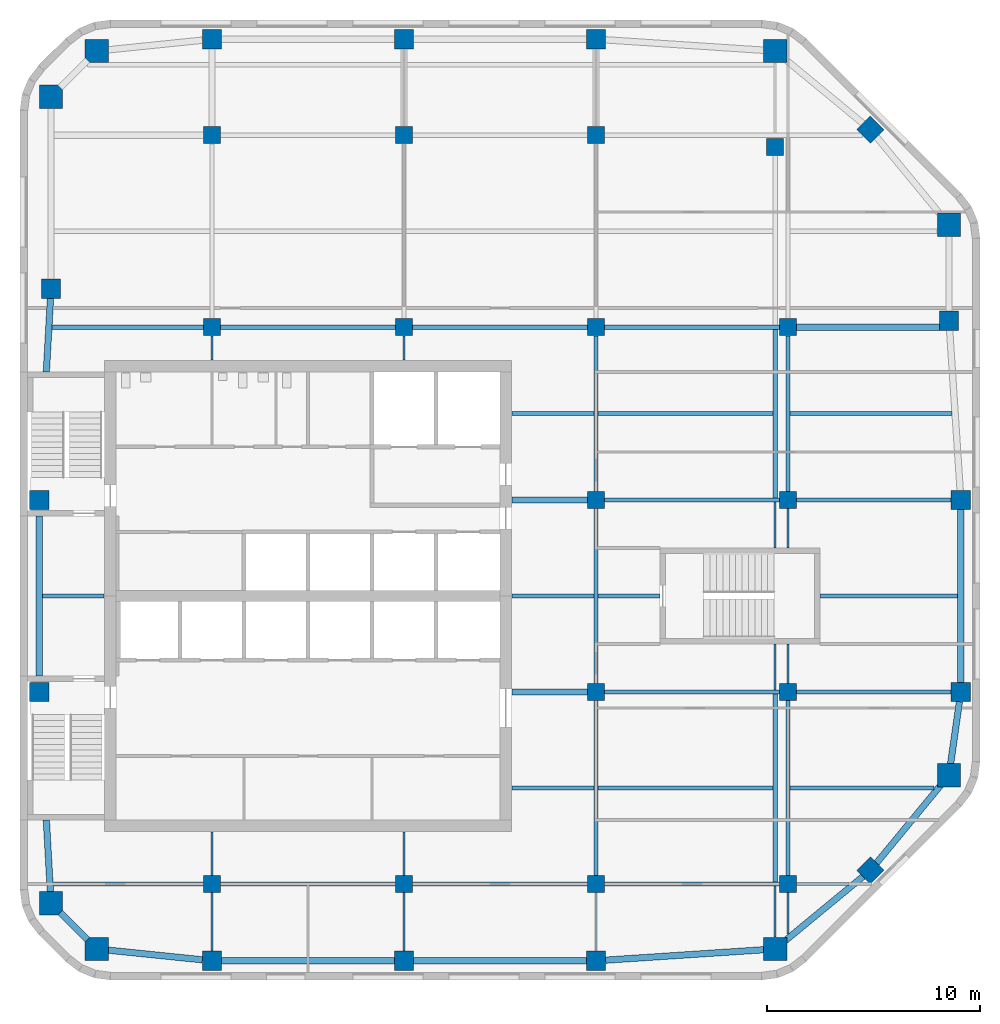
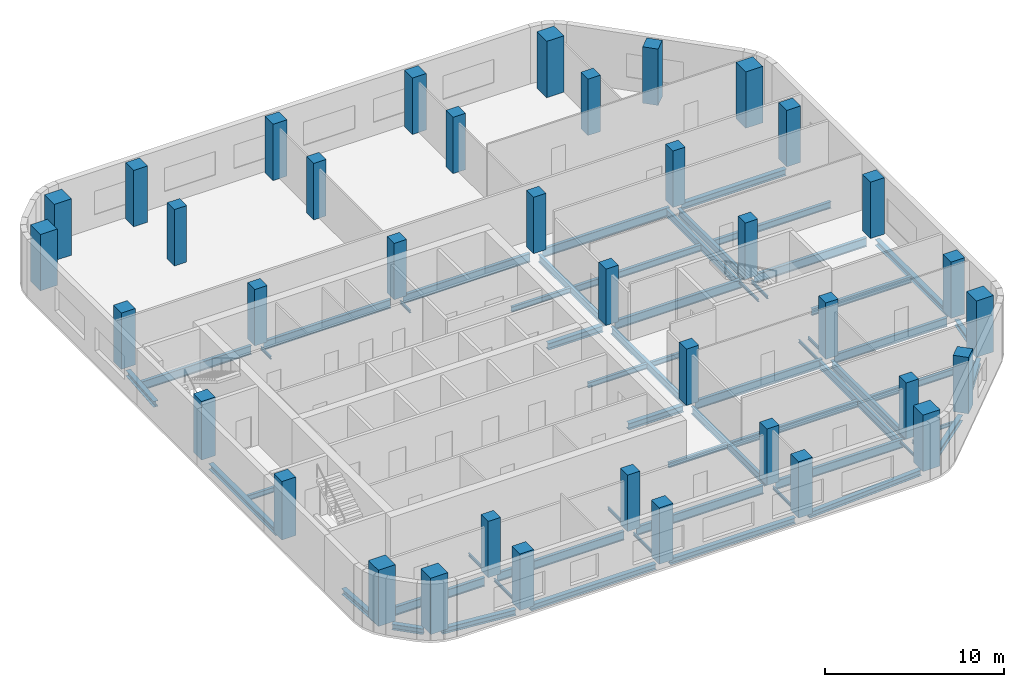
# One storey, part 1 of 8: 58 beams, 38 columns.
"""IFC4 building model written with IfcOpenShell, lengths in metres."""

from ifc_helpers import new_model, si_unit, direction, frame, origin, origin_2d, place, context, subcontext, project, spatial, rectangle, i_section, extrude, material, material_profile, profile_set, type_object, element, save


model = new_model("IFC4")

# Units and contexts
model_context = context("Model", 3, precision=1e-05, world=origin(), true_north=direction((0.0, 1.0)))
body_context = subcontext(model_context, "Body", "Model", "MODEL_VIEW")
ifc_project = project(units=[si_unit("LENGTHUNIT", "METRE"), si_unit("AREAUNIT", "SQUARE_METRE"), si_unit("VOLUMEUNIT", "CUBIC_METRE"), si_unit("PLANEANGLEUNIT", "RADIAN"), si_unit("MASSUNIT", "GRAM", prefix="KILO")], contexts=[model_context])

# Site, building, storey
site_placement = place(None, origin())
site = spatial("IfcSite", under=ifc_project, at=site_placement, CompositionType="ELEMENT")
building_placement = place(site_placement, origin())
building = spatial("IfcBuilding", under=site, at=building_placement, Name="Cinnabar Reach Civic Tower", CompositionType="ELEMENT")
storey_placement = place(building_placement, frame((0.0, 0.0, 222.0)))
storey = spatial("IfcBuildingStorey", under=building, at=storey_placement, Name="L53", CompositionType="ELEMENT", Elevation=222.0)

# Columns
ifc_material_1 = material(Name="Concrete C80", Category="concrete")
ifc_material_profile_1 = material_profile(ifc_material_1, rectangle(XDim=1.1, YDim=1.1, at=origin_2d()), Name="RC1100")
ifc_profile_set_1 = profile_set([ifc_material_profile_1], Name="Concrete C80")
column_type_1 = type_object("IfcColumnType", Name="RC1100 column R 240", PredefinedType="COLUMN", material=ifc_profile_set_1)
for number, where, z_axis, x_axis, name in (
    (1, (3.6019, 14.9531, 0.0), (0.0, 0.0, 1.0), (1.0, 0.0, 0.0), "Column T1-Z4-CC0"),
    (2, (35.3981, 14.9531, 0.0), (0.0, 0.0, 1.0), (1.0, 0.0, 0.0), "Column T1-Z4-CC1"),
    (3, (43.5469, 23.1019, 0.0), (0.0, 0.0, 1.0), (1.0, 0.0, 0.0), "Column T1-Z4-CC2"),
    (4, (43.5469, 48.8981, 0.0), (0.0, 0.0, 1.0), (1.0, 0.0, 0.0), "Column T1-Z4-CC3"),
    (5, (35.3981, 57.0469, 0.0), (0.0, 0.0, 1.0), (1.0, 0.0, 0.0), "Column T1-Z4-CC4"),
    (6, (3.6019, 57.0469, 0.0), (0.0, 0.0, 1.0), (1.0, 0.0, 0.0), "Column T1-Z4-CC5"),
    (7, (1.4531, 54.8981, 0.0), (0.0, 0.0, 1.0), (1.0, 0.0, 0.0), "Column T1-Z4-CC6"),
    (8, (1.4531, 17.1019, 0.0), (0.0, 0.0, 1.0), (1.0, 0.0, 0.0), "Column T1-Z4-CC7"),
):
    element("IfcColumn", number, at=place(storey_placement, frame(where, z_axis=z_axis, x_axis=x_axis)), inside=storey, type_object=column_type_1, Name=name, PredefinedType="COLUMN", context=body_context, shape_type="SweptSolid", body=[
        extrude(rectangle(XDim=1.1, YDim=1.1, at=origin_2d()), origin(), (0.0, 0.0, 1.0), 3.85),
    ])
ifc_material_2 = material(Name="Concrete C60", Category="concrete")
ifc_material_profile_2 = material_profile(ifc_material_2, rectangle(XDim=0.8, YDim=0.8, at=origin_2d()), Name="RC800")
ifc_profile_set_2 = profile_set([ifc_material_profile_2], Name="Concrete C60")
column_type_2 = type_object("IfcColumnType", Name="RC800 column R 240", PredefinedType="COLUMN", material=ifc_profile_set_2)
for number, where, z_axis, x_axis, name in (
    (9, (9.0, 18.0, 0.0), (0.0, 0.0, 1.0), (1.0, 0.0, 0.0), "Column T1-Z4-I9_18"),
    (10, (9.0, 44.1, 0.0), (0.0, 0.0, 1.0), (1.0, 0.0, 0.0), "Column T1-Z4-I9_45"),
    (11, (9.0, 53.1, 0.0), (0.0, 0.0, 1.0), (1.0, 0.0, 0.0), "Column T1-Z4-I9_54"),
    (12, (18.0, 18.0, 0.0), (0.0, 0.0, 1.0), (1.0, 0.0, 0.0), "Column T1-Z4-I18_18"),
    (13, (18.0, 44.1, 0.0), (0.0, 0.0, 1.0), (1.0, 0.0, 0.0), "Column T1-Z4-I18_45"),
    (14, (18.0, 53.1, 0.0), (0.0, 0.0, 1.0), (1.0, 0.0, 0.0), "Column T1-Z4-I18_54"),
    (15, (27.0, 18.0, 0.0), (0.0, 0.0, 1.0), (1.0, 0.0, 0.0), "Column T1-Z4-I27_18"),
    (16, (27.0, 27.0, 0.0), (0.0, 0.0, 1.0), (1.0, 0.0, 0.0), "Column T1-Z4-I27_27"),
    (17, (27.0, 36.0, 0.0), (0.0, 0.0, 1.0), (1.0, 0.0, 0.0), "Column T1-Z4-I27_36"),
    (18, (27.0, 44.1, 0.0), (0.0, 0.0, 1.0), (1.0, 0.0, 0.0), "Column T1-Z4-I27_45"),
    (19, (27.0, 53.1, 0.0), (0.0, 0.0, 1.0), (1.0, 0.0, 0.0), "Column T1-Z4-I27_54"),
    (20, (36.0, 18.0, 0.0), (0.0, 0.0, 1.0), (1.0, 0.0, 0.0), "Column T1-Z4-I36_18"),
    (21, (36.0, 27.0, 0.0), (0.0, 0.0, 1.0), (1.0, 0.0, 0.0), "Column T1-Z4-I36_27"),
    (22, (36.0, 36.0, 0.0), (0.0, 0.0, 1.0), (1.0, 0.0, 0.0), "Column T1-Z4-I36_36"),
    (23, (36.0, 44.1, 0.0), (0.0, 0.0, 1.0), (1.0, 0.0, 0.0), "Column T1-Z4-I36_45"),
    (24, (35.3981, 52.5469, 0.0), (0.0, 0.0, 1.0), (1.0, 0.0, 0.0), "Column T1-Z4-I36_54"),
):
    element("IfcColumn", number, at=place(storey_placement, frame(where, z_axis=z_axis, x_axis=x_axis)), inside=storey, type_object=column_type_2, Name=name, PredefinedType="COLUMN", context=body_context, shape_type="SweptSolid", body=[
        extrude(rectangle(XDim=0.8, YDim=0.8, at=origin_2d()), origin(), (0.0, 0.0, 1.0), 3.85),
    ])
ifc_material_3 = material(Name="Concrete C70", Category="concrete")
ifc_material_profile_3 = material_profile(ifc_material_3, rectangle(XDim=0.9, YDim=0.9, at=origin_2d()), Name="RC900")
ifc_profile_set_3 = profile_set([ifc_material_profile_3], Name="Concrete C70")
column_type_3 = type_object("IfcColumnType", Name="RC900 column R 240", PredefinedType="COLUMN", material=ifc_profile_set_3)
for number, where, z_axis, x_axis, name in (
    (25, (9.0, 14.4, 0.0), (0.0, 0.0, 1.0), (1.0, 0.0, 0.0), "Column T1-Z4-F0-1"),
    (26, (18.0, 14.4, 0.0), (0.0, 0.0, 1.0), (1.0, 0.0, 0.0), "Column T1-Z4-F0-2"),
    (27, (27.0, 14.4, 0.0), (0.0, 0.0, 1.0), (1.0, 0.0, 0.0), "Column T1-Z4-F0-3"),
    (28, (39.8636, 18.6364, 0.0), (0.0, 0.0, 1.0), (0.707106781187, 0.707106781187, 0.0), "Column T1-Z4-F1-M"),
    (29, (44.1, 27.0, 0.0), (0.0, 0.0, 1.0), (1.0, 0.0, 0.0), "Column T1-Z4-F2-3"),
    (30, (44.1, 36.0, 0.0), (0.0, 0.0, 1.0), (1.0, 0.0, 0.0), "Column T1-Z4-F2-4"),
    (31, (43.5469, 44.3981, 0.0), (0.0, 0.0, 1.0), (1.0, 0.0, 0.0), "Column T1-Z4-F2-5"),
    (32, (39.8636, 53.3636, 0.0), (0.0, 0.0, 1.0), (0.707106781187, 0.707106781187, 0.0), "Column T1-Z4-F3-M"),
    (33, (9.0, 57.6, 0.0), (0.0, 0.0, 1.0), (1.0, 0.0, 0.0), "Column T1-Z4-F4-1"),
    (34, (18.0, 57.6, 0.0), (0.0, 0.0, 1.0), (1.0, 0.0, 0.0), "Column T1-Z4-F4-2"),
    (35, (27.0, 57.6, 0.0), (0.0, 0.0, 1.0), (1.0, 0.0, 0.0), "Column T1-Z4-F4-3"),
):
    element("IfcColumn", number, at=place(storey_placement, frame(where, z_axis=z_axis, x_axis=x_axis)), inside=storey, type_object=column_type_3, Name=name, PredefinedType="COLUMN", context=body_context, shape_type="SweptSolid", body=[
        extrude(rectangle(XDim=0.9, YDim=0.9, at=origin_2d()), origin(), (0.0, 0.0, 1.0), 3.85),
    ])
for number, where, z_axis, x_axis, name in (
    (36, (0.9, 27.0, 0.0), (0.0, 0.0, 1.0), (1.0, 0.0, 0.0), "Column T1-Z4-F6-3"),
    (37, (0.9, 36.0, 0.0), (0.0, 0.0, 1.0), (1.0, 0.0, 0.0), "Column T1-Z4-F6-4"),
):
    element("IfcColumn", number, at=place(storey_placement, frame(where, z_axis=z_axis, x_axis=x_axis)), inside=storey, type_object=column_type_3, Name=name, PredefinedType="COLUMN", context=body_context, shape_type="SweptSolid", body=[
        extrude(rectangle(XDim=0.9, YDim=0.9, at=origin_2d()), origin(), (0.0, 0.0, 1.0), 4.0),
    ])
column_placement = place(storey_placement, frame((1.4531, 45.8981, 0.0), z_axis=(0.0, 0.0, 1.0), x_axis=(1.0, 0.0, 0.0)))
element("IfcColumn", 38, at=column_placement, inside=storey, type_object=column_type_3, Name="Column T1-Z4-F6-5", PredefinedType="COLUMN", context=body_context, shape_type="SweptSolid", body=[
    extrude(rectangle(XDim=0.9, YDim=0.9, at=origin_2d()), origin(), (0.0, 0.0, 1.0), 3.85),
])

# Beams
ifc_material_4 = material(Name="Steel Q355B", Category="steel")
ifc_material_profile_4 = material_profile(ifc_material_4, i_section(OverallWidth=0.3, OverallDepth=0.39, WebThickness=0.01, FlangeThickness=0.016, FilletRadius=0.013, at=origin_2d()), Name="HM390x300x10x16")
ifc_profile_set_4 = profile_set([ifc_material_profile_4], Name="Steel Q355B")
beam_type_1 = type_object("IfcBeamType", Name="HM390x300x10x16 beam R 180", PredefinedType="BEAM", material=ifc_profile_set_4)
beam_1_placement = place(storey_placement, frame((4.0339, 14.9088, -0.345), z_axis=(0.994792272495, -0.101923179821, 0.0), x_axis=(0.101923179821, 0.994792272495, 0.0)))
element("IfcBeam", 39, at=beam_1_placement, inside=storey, type_object=beam_type_1, Name="Edge beam T1 L53 1", PredefinedType="BEAM", context=body_context, shape_type="SweptSolid", body=[
    extrude(i_section(OverallWidth=0.3, OverallDepth=0.39, WebThickness=0.01, FlangeThickness=0.016, FilletRadius=0.013, at=origin_2d()), origin(), (0.0, 0.0, 1.0), 4.5377),
])
for number, where, z_axis, x_axis, name in (
    (40, (9.452, 14.4, -0.345), (1.0, 0.0, 0.0), (0.0, 1.0, 0.0), "Edge beam T1 L53 2"),
    (41, (18.452, 14.4, -0.345), (1.0, 0.0, 0.0), (0.0, 1.0, 0.0), "Edge beam T1 L53 3"),
):
    element("IfcBeam", number, at=place(storey_placement, frame(where, z_axis=z_axis, x_axis=x_axis)), inside=storey, type_object=beam_type_1, Name=name, PredefinedType="BEAM", context=body_context, shape_type="SweptSolid", body=[
        extrude(i_section(OverallWidth=0.3, OverallDepth=0.39, WebThickness=0.01, FlangeThickness=0.016, FilletRadius=0.013, at=origin_2d()), origin(), (0.0, 0.0, 1.0), 8.096),
    ])
beam_2_placement = place(storey_placement, frame((27.452, 14.4298, -0.345), z_axis=(0.99783894477, 0.065707231721, 0.0), x_axis=(-0.065707231721, 0.99783894477, 0.0)))
element("IfcBeam", 42, at=beam_2_placement, inside=storey, type_object=beam_type_1, Name="Edge beam T1 L53 4", PredefinedType="BEAM", context=body_context, shape_type="SweptSolid", body=[
    extrude(i_section(OverallWidth=0.3, OverallDepth=0.39, WebThickness=0.01, FlangeThickness=0.016, FilletRadius=0.013, at=origin_2d()), origin(), (0.0, 0.0, 1.0), 7.5304),
])
for number, where, z_axis, x_axis, name in (
    (43, (35.8301, 15.3094, -0.345), (0.771434448755, 0.63630880182, 0.0), (-0.63630880182, 0.771434448755, 0.0), "Edge beam T1 L53 5"),
    (44, (40.1142, 18.9402, -0.345), (0.63630880182, 0.771434448755, 0.0), (-0.771434448755, 0.63630880182, 0.0), "Edge beam T1 L53 6"),
):
    element("IfcBeam", number, at=place(storey_placement, frame(where, z_axis=z_axis, x_axis=x_axis)), inside=storey, type_object=beam_type_1, Name=name, PredefinedType="BEAM", context=body_context, shape_type="SweptSolid", body=[
        extrude(i_section(OverallWidth=0.3, OverallDepth=0.39, WebThickness=0.01, FlangeThickness=0.016, FilletRadius=0.013, at=origin_2d()), origin(), (0.0, 0.0, 1.0), 4.8348),
    ])
beam_3_placement = place(storey_placement, frame((43.6082, 23.5339, -0.345), z_axis=(0.140492342965, 0.990081765092, 0.0), x_axis=(-0.990081765092, 0.140492342965, 0.0)))
element("IfcBeam", 45, at=beam_3_placement, inside=storey, type_object=beam_type_1, Name="Edge beam T1 L53 7", PredefinedType="BEAM", context=body_context, shape_type="SweptSolid", body=[
    extrude(i_section(OverallWidth=0.3, OverallDepth=0.39, WebThickness=0.01, FlangeThickness=0.016, FilletRadius=0.013, at=origin_2d()), origin(), (0.0, 0.0, 1.0), 3.0443),
])
beam_4_placement = place(storey_placement, frame((44.1, 27.452, -0.345), z_axis=(0.0, 1.0, 0.0), x_axis=(-1.0, 0.0, 0.0)))
element("IfcBeam", 46, at=beam_4_placement, inside=storey, type_object=beam_type_1, Name="Edge beam T1 L53 8", PredefinedType="BEAM", context=body_context, shape_type="SweptSolid", body=[
    extrude(i_section(OverallWidth=0.3, OverallDepth=0.39, WebThickness=0.01, FlangeThickness=0.016, FilletRadius=0.013, at=origin_2d()), origin(), (0.0, 0.0, 1.0), 8.096),
])
beam_5_placement = place(storey_placement, frame((1.4278, 45.4461, -0.345), z_axis=(-0.0557766862, -0.998443268932, 0.0), x_axis=(0.998443268932, -0.0557766862, 0.0)))
element("IfcBeam", 47, at=beam_5_placement, inside=storey, type_object=beam_type_1, Name="Edge beam T1 L53 19", PredefinedType="BEAM", context=body_context, shape_type="SweptSolid", body=[
    extrude(i_section(OverallWidth=0.3, OverallDepth=0.39, WebThickness=0.01, FlangeThickness=0.016, FilletRadius=0.013, at=origin_2d()), origin(), (0.0, 0.0, 1.0), 3.4495),
])
beam_6_placement = place(storey_placement, frame((0.9, 35.248, -0.345), z_axis=(0.0, -1.0, 0.0), x_axis=(1.0, 0.0, 0.0)))
element("IfcBeam", 48, at=beam_6_placement, inside=storey, type_object=beam_type_1, Name="Edge beam T1 L53 20", PredefinedType="BEAM", context=body_context, shape_type="SweptSolid", body=[
    extrude(i_section(OverallWidth=0.3, OverallDepth=0.39, WebThickness=0.01, FlangeThickness=0.016, FilletRadius=0.013, at=origin_2d()), origin(), (0.0, 0.0, 1.0), 7.496),
])
beam_7_placement = place(storey_placement, frame((1.2354, 20.998, -0.345), z_axis=(0.05580045603, -0.998441940779, 0.0), x_axis=(0.998441940779, 0.05580045603, 0.0)))
element("IfcBeam", 49, at=beam_7_placement, inside=storey, type_object=beam_type_1, Name="Edge beam T1 L53 21", PredefinedType="BEAM", context=body_context, shape_type="SweptSolid", body=[
    extrude(i_section(OverallWidth=0.3, OverallDepth=0.39, WebThickness=0.01, FlangeThickness=0.016, FilletRadius=0.013, at=origin_2d()), origin(), (0.0, 0.0, 1.0), 3.4695),
])
beam_8_placement = place(storey_placement, frame((1.8851, 16.6699, -0.345), z_axis=(0.707106781187, -0.707106781187, 0.0), x_axis=(0.707106781187, 0.707106781187, 0.0)))
element("IfcBeam", 50, at=beam_8_placement, inside=storey, type_object=beam_type_1, Name="Edge beam T1 L53 22", PredefinedType="BEAM", context=body_context, shape_type="SweptSolid", body=[
    extrude(i_section(OverallWidth=0.3, OverallDepth=0.39, WebThickness=0.01, FlangeThickness=0.016, FilletRadius=0.013, at=origin_2d()), origin(), (0.0, 0.0, 1.0), 1.817),
])
ifc_material_profile_5 = material_profile(ifc_material_4, i_section(OverallWidth=0.3, OverallDepth=0.44, WebThickness=0.011, FlangeThickness=0.018, FilletRadius=0.016, at=origin_2d()), Name="HM440x300x11x18")
ifc_profile_set_5 = profile_set([ifc_material_profile_5], Name="Steel Q355B")
beam_type_2 = type_object("IfcBeamType", Name="HM440x300x11x18 beam R 180", PredefinedType="BEAM", material=ifc_profile_set_5)
for number, where, z_axis, x_axis, name in (
    (51, (23.052, 27.0, -0.37), (1.0, 0.0, 0.0), (0.0, 1.0, 0.0), "Girder T1 L53 6"),
    (52, (23.052, 36.0, -0.37), (1.0, 0.0, 0.0), (0.0, 1.0, 0.0), "Girder T1 L53 9"),
):
    element("IfcBeam", number, at=place(storey_placement, frame(where, z_axis=z_axis, x_axis=x_axis)), inside=storey, type_object=beam_type_2, Name=name, PredefinedType="BEAM", context=body_context, shape_type="SweptSolid", body=[
        extrude(i_section(OverallWidth=0.3, OverallDepth=0.44, WebThickness=0.011, FlangeThickness=0.018, FilletRadius=0.016, at=origin_2d()), origin(), (0.0, 0.0, 1.0), 3.546),
    ])
beam_9_placement = place(storey_placement, frame((36.402, 44.1, -0.37), z_axis=(1.0, 0.0, 0.0), x_axis=(0.0, 1.0, 0.0)))
element("IfcBeam", 53, at=beam_9_placement, inside=storey, type_object=beam_type_2, Name="Girder T1 L53 16", PredefinedType="BEAM", context=body_context, shape_type="SweptSolid", body=[
    extrude(i_section(OverallWidth=0.3, OverallDepth=0.44, WebThickness=0.011, FlangeThickness=0.018, FilletRadius=0.016, at=origin_2d()), origin(), (0.0, 0.0, 1.0), 6.6929),
])
ifc_material_profile_6 = material_profile(ifc_material_4, i_section(OverallWidth=0.099, OverallDepth=0.198, WebThickness=0.0045, FlangeThickness=0.007, FilletRadius=0.013, at=origin_2d()), Name="HN200x100x5.5x8")
ifc_profile_set_6 = profile_set([ifc_material_profile_6], Name="Steel Q355B")
beam_type_3 = type_object("IfcBeamType", Name="HN200x100x5.5x8 beam R 180", PredefinedType="BEAM", material=ifc_profile_set_6)
beam_10_placement = place(storey_placement, frame((9.0, 14.852, -0.249), z_axis=(0.0, 1.0, 0.0), x_axis=(-1.0, 0.0, 0.0)))
element("IfcBeam", 54, at=beam_10_placement, inside=storey, type_object=beam_type_3, Name="Girder T1 L53 1", PredefinedType="BEAM", context=body_context, shape_type="SweptSolid", body=[
    extrude(i_section(OverallWidth=0.099, OverallDepth=0.198, WebThickness=0.0045, FlangeThickness=0.007, FilletRadius=0.013, at=origin_2d()), origin(), (0.0, 0.0, 1.0), 2.746),
])
beam_11_placement = place(storey_placement, frame((9.0, 18.402, -0.249), z_axis=(0.0, 1.0, 0.0), x_axis=(-1.0, 0.0, 0.0)))
element("IfcBeam", 55, at=beam_11_placement, inside=storey, type_object=beam_type_3, Name="Girder T1 L53 2", PredefinedType="BEAM", context=body_context, shape_type="SweptSolid", body=[
    extrude(i_section(OverallWidth=0.099, OverallDepth=0.198, WebThickness=0.0045, FlangeThickness=0.007, FilletRadius=0.013, at=origin_2d()), origin(), (0.0, 0.0, 1.0), 2.046),
])
beam_12_placement = place(storey_placement, frame((9.0, 42.552, -0.249), z_axis=(0.0, 1.0, 0.0), x_axis=(-1.0, 0.0, 0.0)))
element("IfcBeam", 56, at=beam_12_placement, inside=storey, type_object=beam_type_3, Name="Girder T1 L53 3", PredefinedType="BEAM", context=body_context, shape_type="SweptSolid", body=[
    extrude(i_section(OverallWidth=0.099, OverallDepth=0.198, WebThickness=0.0045, FlangeThickness=0.007, FilletRadius=0.013, at=origin_2d()), origin(), (0.0, 0.0, 1.0), 1.146),
])
beam_13_placement = place(storey_placement, frame((18.0, 14.852, -0.249), z_axis=(0.0, 1.0, 0.0), x_axis=(-1.0, 0.0, 0.0)))
element("IfcBeam", 57, at=beam_13_placement, inside=storey, type_object=beam_type_3, Name="Girder T1 L53 6", PredefinedType="BEAM", context=body_context, shape_type="SweptSolid", body=[
    extrude(i_section(OverallWidth=0.099, OverallDepth=0.198, WebThickness=0.0045, FlangeThickness=0.007, FilletRadius=0.013, at=origin_2d()), origin(), (0.0, 0.0, 1.0), 2.746),
])
beam_14_placement = place(storey_placement, frame((18.0, 18.402, -0.249), z_axis=(0.0, 1.0, 0.0), x_axis=(-1.0, 0.0, 0.0)))
element("IfcBeam", 58, at=beam_14_placement, inside=storey, type_object=beam_type_3, Name="Girder T1 L53 7", PredefinedType="BEAM", context=body_context, shape_type="SweptSolid", body=[
    extrude(i_section(OverallWidth=0.099, OverallDepth=0.198, WebThickness=0.0045, FlangeThickness=0.007, FilletRadius=0.013, at=origin_2d()), origin(), (0.0, 0.0, 1.0), 2.046),
])
beam_15_placement = place(storey_placement, frame((18.0, 42.552, -0.249), z_axis=(0.0, 1.0, 0.0), x_axis=(-1.0, 0.0, 0.0)))
element("IfcBeam", 59, at=beam_15_placement, inside=storey, type_object=beam_type_3, Name="Girder T1 L53 8", PredefinedType="BEAM", context=body_context, shape_type="SweptSolid", body=[
    extrude(i_section(OverallWidth=0.099, OverallDepth=0.198, WebThickness=0.0045, FlangeThickness=0.007, FilletRadius=0.013, at=origin_2d()), origin(), (0.0, 0.0, 1.0), 1.146),
])
beam_16_placement = place(storey_placement, frame((27.0, 14.852, -0.249), z_axis=(0.0, 1.0, 0.0), x_axis=(-1.0, 0.0, 0.0)))
element("IfcBeam", 60, at=beam_16_placement, inside=storey, type_object=beam_type_3, Name="Girder T1 L53 11", PredefinedType="BEAM", context=body_context, shape_type="SweptSolid", body=[
    extrude(i_section(OverallWidth=0.099, OverallDepth=0.198, WebThickness=0.0045, FlangeThickness=0.007, FilletRadius=0.013, at=origin_2d()), origin(), (0.0, 0.0, 1.0), 2.746),
])
beam_17_placement = place(storey_placement, frame((35.3981, 15.5051, -0.249), z_axis=(0.0, 1.0, 0.0), x_axis=(-1.0, 0.0, 0.0)))
element("IfcBeam", 61, at=beam_17_placement, inside=storey, type_object=beam_type_3, Name="Girder T1 L53 17", PredefinedType="BEAM", context=body_context, shape_type="SweptSolid", body=[
    extrude(i_section(OverallWidth=0.099, OverallDepth=0.198, WebThickness=0.0045, FlangeThickness=0.007, FilletRadius=0.013, at=origin_2d()), origin(), (0.0, 0.0, 1.0), 2.3934),
])
for number, where, z_axis, x_axis, name in (
    (62, (35.3981, 27.1015, -0.249), (0.0, 1.0, 0.0), (-1.0, 0.0, 0.0), "Girder T1 L53 19"),
    (63, (35.3981, 33.752, -0.249), (0.0, 1.0, 0.0), (-1.0, 0.0, 0.0), "Girder T1 L53 20"),
):
    element("IfcBeam", number, at=place(storey_placement, frame(where, z_axis=z_axis, x_axis=x_axis)), inside=storey, type_object=beam_type_3, Name=name, PredefinedType="BEAM", context=body_context, shape_type="SweptSolid", body=[
        extrude(i_section(OverallWidth=0.099, OverallDepth=0.198, WebThickness=0.0045, FlangeThickness=0.007, FilletRadius=0.013, at=origin_2d()), origin(), (0.0, 0.0, 1.0), 2.1465),
    ])
beam_18_placement = place(storey_placement, frame((36.0, 15.6466, -0.249), z_axis=(0.0, 1.0, 0.0), x_axis=(-1.0, 0.0, 0.0)))
element("IfcBeam", 64, at=beam_18_placement, inside=storey, type_object=beam_type_3, Name="Girder T1 L53 24", PredefinedType="BEAM", context=body_context, shape_type="SweptSolid", body=[
    extrude(i_section(OverallWidth=0.099, OverallDepth=0.198, WebThickness=0.0045, FlangeThickness=0.007, FilletRadius=0.013, at=origin_2d()), origin(), (0.0, 0.0, 1.0), 1.9514),
])
for number, where, z_axis, x_axis, name in (
    (65, (36.0, 27.402, -0.249), (0.0, 1.0, 0.0), (-1.0, 0.0, 0.0), "Girder T1 L53 26"),
    (66, (36.0, 33.752, -0.249), (0.0, 1.0, 0.0), (-1.0, 0.0, 0.0), "Girder T1 L53 27"),
):
    element("IfcBeam", number, at=place(storey_placement, frame(where, z_axis=z_axis, x_axis=x_axis)), inside=storey, type_object=beam_type_3, Name=name, PredefinedType="BEAM", context=body_context, shape_type="SweptSolid", body=[
        extrude(i_section(OverallWidth=0.099, OverallDepth=0.198, WebThickness=0.0045, FlangeThickness=0.007, FilletRadius=0.013, at=origin_2d()), origin(), (0.0, 0.0, 1.0), 1.846),
    ])
ifc_material_profile_7 = material_profile(ifc_material_4, i_section(OverallWidth=0.124, OverallDepth=0.248, WebThickness=0.005, FlangeThickness=0.008, FilletRadius=0.013, at=origin_2d()), Name="HN250x125x6x9")
ifc_profile_set_7 = profile_set([ifc_material_profile_7], Name="Steel Q355B")
beam_type_4 = type_object("IfcBeamType", Name="HN250x125x6x9 beam R 180", PredefinedType="BEAM", material=ifc_profile_set_7)
beam_19_placement = place(storey_placement, frame((36.402, 18.0, -0.274), z_axis=(1.0, 0.0, 0.0), x_axis=(0.0, 1.0, 0.0)))
element("IfcBeam", 67, at=beam_19_placement, inside=storey, type_object=beam_type_4, Name="Girder T1 L53 5", PredefinedType="BEAM", context=body_context, shape_type="SweptSolid", body=[
    extrude(i_section(OverallWidth=0.124, OverallDepth=0.248, WebThickness=0.005, FlangeThickness=0.008, FilletRadius=0.013, at=origin_2d()), origin(), (0.0, 0.0, 1.0), 2.4512),
])
ifc_material_profile_8 = material_profile(ifc_material_4, i_section(OverallWidth=0.174, OverallDepth=0.346, WebThickness=0.006, FlangeThickness=0.009, FilletRadius=0.013, at=origin_2d()), Name="HN346x174x6x9")
ifc_profile_set_8 = profile_set([ifc_material_profile_8], Name="Steel Q355B")
beam_type_5 = type_object("IfcBeamType", Name="HN346x174x6x9 beam R 180", PredefinedType="BEAM", material=ifc_profile_set_8)
beam_20_placement = place(storey_placement, frame((23.052, 22.5, -0.323), z_axis=(1.0, 0.0, 0.0), x_axis=(0.0, 1.0, 0.0)))
element("IfcBeam", 68, at=beam_20_placement, inside=storey, type_object=beam_type_5, Name="Secondary beam T1 L53 1", PredefinedType="BEAM", context=body_context, shape_type="SweptSolid", body=[
    extrude(i_section(OverallWidth=0.174, OverallDepth=0.346, WebThickness=0.006, FlangeThickness=0.009, FilletRadius=0.013, at=origin_2d()), origin(), (0.0, 0.0, 1.0), 3.846),
])
beam_21_placement = place(storey_placement, frame((1.052, 31.5, -0.323), z_axis=(1.0, 0.0, 0.0), x_axis=(0.0, 1.0, 0.0)))
element("IfcBeam", 69, at=beam_21_placement, inside=storey, type_object=beam_type_5, Name="Secondary beam T1 L53 4", PredefinedType="BEAM", context=body_context, shape_type="SweptSolid", body=[
    extrude(i_section(OverallWidth=0.174, OverallDepth=0.346, WebThickness=0.006, FlangeThickness=0.009, FilletRadius=0.013, at=origin_2d()), origin(), (0.0, 0.0, 1.0), 2.896),
])
beam_22_placement = place(storey_placement, frame((23.052, 31.5, -0.323), z_axis=(1.0, 0.0, 0.0), x_axis=(0.0, 1.0, 0.0)))
element("IfcBeam", 70, at=beam_22_placement, inside=storey, type_object=beam_type_5, Name="Secondary beam T1 L53 5", PredefinedType="BEAM", context=body_context, shape_type="SweptSolid", body=[
    extrude(i_section(OverallWidth=0.174, OverallDepth=0.346, WebThickness=0.006, FlangeThickness=0.009, FilletRadius=0.013, at=origin_2d()), origin(), (0.0, 0.0, 1.0), 3.846),
])
beam_23_placement = place(storey_placement, frame((27.102, 31.5, -0.323), z_axis=(1.0, 0.0, 0.0), x_axis=(0.0, 1.0, 0.0)))
element("IfcBeam", 71, at=beam_23_placement, inside=storey, type_object=beam_type_5, Name="Secondary beam T1 L53 6", PredefinedType="BEAM", context=body_context, shape_type="SweptSolid", body=[
    extrude(i_section(OverallWidth=0.174, OverallDepth=0.346, WebThickness=0.006, FlangeThickness=0.009, FilletRadius=0.013, at=origin_2d()), origin(), (0.0, 0.0, 1.0), 2.896),
])
beam_24_placement = place(storey_placement, frame((23.052, 40.05, -0.323), z_axis=(1.0, 0.0, 0.0), x_axis=(0.0, 1.0, 0.0)))
element("IfcBeam", 72, at=beam_24_placement, inside=storey, type_object=beam_type_5, Name="Secondary beam T1 L53 8", PredefinedType="BEAM", context=body_context, shape_type="SweptSolid", body=[
    extrude(i_section(OverallWidth=0.174, OverallDepth=0.346, WebThickness=0.006, FlangeThickness=0.009, FilletRadius=0.013, at=origin_2d()), origin(), (0.0, 0.0, 1.0), 3.846),
])
ifc_material_profile_9 = material_profile(ifc_material_4, i_section(OverallWidth=0.199, OverallDepth=0.446, WebThickness=0.008, FlangeThickness=0.012, FilletRadius=0.016, at=origin_2d()), Name="HN446x199x8x12")
ifc_profile_set_9 = profile_set([ifc_material_profile_9], Name="Steel Q355B")
beam_type_6 = type_object("IfcBeamType", Name="HN446x199x8x12 beam R 180", PredefinedType="BEAM", material=ifc_profile_set_9)
beam_25_placement = place(storey_placement, frame((27.102, 22.5, -0.373), z_axis=(1.0, 0.0, 0.0), x_axis=(0.0, 1.0, 0.0)))
element("IfcBeam", 73, at=beam_25_placement, inside=storey, type_object=beam_type_6, Name="Secondary beam T1 L53 2", PredefinedType="BEAM", context=body_context, shape_type="SweptSolid", body=[
    extrude(i_section(OverallWidth=0.199, OverallDepth=0.446, WebThickness=0.008, FlangeThickness=0.012, FilletRadius=0.016, at=origin_2d()), origin(), (0.0, 0.0, 1.0), 8.1941),
])
beam_26_placement = place(storey_placement, frame((36.102, 22.5, -0.373), z_axis=(1.0, 0.0, 0.0), x_axis=(0.0, 1.0, 0.0)))
element("IfcBeam", 74, at=beam_26_placement, inside=storey, type_object=beam_type_6, Name="Secondary beam T1 L53 3", PredefinedType="BEAM", context=body_context, shape_type="SweptSolid", body=[
    extrude(i_section(OverallWidth=0.199, OverallDepth=0.446, WebThickness=0.008, FlangeThickness=0.012, FilletRadius=0.016, at=origin_2d()), origin(), (0.0, 0.0, 1.0), 6.7514),
])
beam_27_placement = place(storey_placement, frame((37.502, 31.5, -0.373), z_axis=(1.0, 0.0, 0.0), x_axis=(0.0, 1.0, 0.0)))
element("IfcBeam", 75, at=beam_27_placement, inside=storey, type_object=beam_type_6, Name="Secondary beam T1 L53 7", PredefinedType="BEAM", context=body_context, shape_type="SweptSolid", body=[
    extrude(i_section(OverallWidth=0.199, OverallDepth=0.446, WebThickness=0.008, FlangeThickness=0.012, FilletRadius=0.016, at=origin_2d()), origin(), (0.0, 0.0, 1.0), 6.446),
])
beam_28_placement = place(storey_placement, frame((27.102, 40.05, -0.373), z_axis=(1.0, 0.0, 0.0), x_axis=(0.0, 1.0, 0.0)))
element("IfcBeam", 76, at=beam_28_placement, inside=storey, type_object=beam_type_6, Name="Secondary beam T1 L53 9", PredefinedType="BEAM", context=body_context, shape_type="SweptSolid", body=[
    extrude(i_section(OverallWidth=0.199, OverallDepth=0.446, WebThickness=0.008, FlangeThickness=0.012, FilletRadius=0.016, at=origin_2d()), origin(), (0.0, 0.0, 1.0), 8.1941),
])
beam_29_placement = place(storey_placement, frame((36.102, 40.05, -0.373), z_axis=(1.0, 0.0, 0.0), x_axis=(0.0, 1.0, 0.0)))
element("IfcBeam", 77, at=beam_29_placement, inside=storey, type_object=beam_type_6, Name="Secondary beam T1 L53 10", PredefinedType="BEAM", context=body_context, shape_type="SweptSolid", body=[
    extrude(i_section(OverallWidth=0.199, OverallDepth=0.446, WebThickness=0.008, FlangeThickness=0.012, FilletRadius=0.016, at=origin_2d()), origin(), (0.0, 0.0, 1.0), 7.5789),
])
ifc_material_profile_10 = material_profile(ifc_material_4, i_section(OverallWidth=0.2, OverallDepth=0.5, WebThickness=0.01, FlangeThickness=0.016, FilletRadius=0.016, at=origin_2d()), Name="HN500x200x10x16")
ifc_profile_set_10 = profile_set([ifc_material_profile_10], Name="Steel Q355B")
beam_type_7 = type_object("IfcBeamType", Name="HN500x200x10x16 beam R 180", PredefinedType="BEAM", material=ifc_profile_set_10)
for number, where, z_axis, x_axis, name in (
    (78, (27.0, 18.402, -0.4), (0.0, 1.0, 0.0), (-1.0, 0.0, 0.0), "Girder T1 L53 12"),
    (79, (27.0, 27.402, -0.4), (0.0, 1.0, 0.0), (-1.0, 0.0, 0.0), "Girder T1 L53 13"),
):
    element("IfcBeam", number, at=place(storey_placement, frame(where, z_axis=z_axis, x_axis=x_axis)), inside=storey, type_object=beam_type_7, Name=name, PredefinedType="BEAM", context=body_context, shape_type="SweptSolid", body=[
        extrude(i_section(OverallWidth=0.2, OverallDepth=0.5, WebThickness=0.01, FlangeThickness=0.016, FilletRadius=0.016, at=origin_2d()), origin(), (0.0, 0.0, 1.0), 8.196),
    ])
beam_30_placement = place(storey_placement, frame((27.0, 36.402, -0.4), z_axis=(0.0, 1.0, 0.0), x_axis=(-1.0, 0.0, 0.0)))
element("IfcBeam", 80, at=beam_30_placement, inside=storey, type_object=beam_type_7, Name="Girder T1 L53 14", PredefinedType="BEAM", context=body_context, shape_type="SweptSolid", body=[
    extrude(i_section(OverallWidth=0.2, OverallDepth=0.5, WebThickness=0.01, FlangeThickness=0.016, FilletRadius=0.016, at=origin_2d()), origin(), (0.0, 0.0, 1.0), 7.296),
])
beam_31_placement = place(storey_placement, frame((35.3981, 18.1015, -0.4), z_axis=(0.0, 1.0, 0.0), x_axis=(-1.0, 0.0, 0.0)))
element("IfcBeam", 81, at=beam_31_placement, inside=storey, type_object=beam_type_7, Name="Girder T1 L53 18", PredefinedType="BEAM", context=body_context, shape_type="SweptSolid", body=[
    extrude(i_section(OverallWidth=0.2, OverallDepth=0.5, WebThickness=0.01, FlangeThickness=0.016, FilletRadius=0.016, at=origin_2d()), origin(), (0.0, 0.0, 1.0), 8.797),
])
beam_32_placement = place(storey_placement, frame((35.3981, 36.1015, -0.4), z_axis=(0.0, 1.0, 0.0), x_axis=(-1.0, 0.0, 0.0)))
element("IfcBeam", 82, at=beam_32_placement, inside=storey, type_object=beam_type_7, Name="Girder T1 L53 21", PredefinedType="BEAM", context=body_context, shape_type="SweptSolid", body=[
    extrude(i_section(OverallWidth=0.2, OverallDepth=0.5, WebThickness=0.01, FlangeThickness=0.016, FilletRadius=0.016, at=origin_2d()), origin(), (0.0, 0.0, 1.0), 7.897),
])
beam_33_placement = place(storey_placement, frame((36.0, 18.402, -0.4), z_axis=(0.0, 1.0, 0.0), x_axis=(-1.0, 0.0, 0.0)))
element("IfcBeam", 83, at=beam_33_placement, inside=storey, type_object=beam_type_7, Name="Girder T1 L53 25", PredefinedType="BEAM", context=body_context, shape_type="SweptSolid", body=[
    extrude(i_section(OverallWidth=0.2, OverallDepth=0.5, WebThickness=0.01, FlangeThickness=0.016, FilletRadius=0.016, at=origin_2d()), origin(), (0.0, 0.0, 1.0), 8.196),
])
beam_34_placement = place(storey_placement, frame((36.0, 36.402, -0.4), z_axis=(0.0, 1.0, 0.0), x_axis=(-1.0, 0.0, 0.0)))
element("IfcBeam", 84, at=beam_34_placement, inside=storey, type_object=beam_type_7, Name="Girder T1 L53 28", PredefinedType="BEAM", context=body_context, shape_type="SweptSolid", body=[
    extrude(i_section(OverallWidth=0.2, OverallDepth=0.5, WebThickness=0.01, FlangeThickness=0.016, FilletRadius=0.016, at=origin_2d()), origin(), (0.0, 0.0, 1.0), 7.296),
])
ifc_material_profile_11 = material_profile(ifc_material_4, i_section(OverallWidth=0.199, OverallDepth=0.596, WebThickness=0.01, FlangeThickness=0.015, FilletRadius=0.016, at=origin_2d()), Name="HN596x199x10x15")
ifc_profile_set_11 = profile_set([ifc_material_profile_11], Name="Steel Q355B")
beam_type_8 = type_object("IfcBeamType", Name="HN596x199x10x15 beam R 180", PredefinedType="BEAM", material=ifc_profile_set_11)
beam_35_placement = place(storey_placement, frame((1.5552, 18.0, -0.448), z_axis=(1.0, 0.0, 0.0), x_axis=(0.0, 1.0, 0.0)))
element("IfcBeam", 85, at=beam_35_placement, inside=storey, type_object=beam_type_8, Name="Girder T1 L53 1", PredefinedType="BEAM", context=body_context, shape_type="SweptSolid", body=[
    extrude(i_section(OverallWidth=0.199, OverallDepth=0.596, WebThickness=0.01, FlangeThickness=0.015, FilletRadius=0.016, at=origin_2d()), origin(), (0.0, 0.0, 1.0), 7.0428),
])
for number, where, z_axis, x_axis, name in (
    (86, (9.402, 18.0, -0.448), (1.0, 0.0, 0.0), (0.0, 1.0, 0.0), "Girder T1 L53 2"),
    (87, (18.402, 18.0, -0.448), (1.0, 0.0, 0.0), (0.0, 1.0, 0.0), "Girder T1 L53 3"),
    (88, (27.402, 18.0, -0.448), (1.0, 0.0, 0.0), (0.0, 1.0, 0.0), "Girder T1 L53 4"),
    (89, (27.402, 27.0, -0.448), (1.0, 0.0, 0.0), (0.0, 1.0, 0.0), "Girder T1 L53 7"),
):
    element("IfcBeam", number, at=place(storey_placement, frame(where, z_axis=z_axis, x_axis=x_axis)), inside=storey, type_object=beam_type_8, Name=name, PredefinedType="BEAM", context=body_context, shape_type="SweptSolid", body=[
        extrude(i_section(OverallWidth=0.199, OverallDepth=0.596, WebThickness=0.01, FlangeThickness=0.015, FilletRadius=0.016, at=origin_2d()), origin(), (0.0, 0.0, 1.0), 8.196),
    ])
beam_36_placement = place(storey_placement, frame((36.402, 27.0, -0.448), z_axis=(1.0, 0.0, 0.0), x_axis=(0.0, 1.0, 0.0)))
element("IfcBeam", 90, at=beam_36_placement, inside=storey, type_object=beam_type_8, Name="Girder T1 L53 8", PredefinedType="BEAM", context=body_context, shape_type="SweptSolid", body=[
    extrude(i_section(OverallWidth=0.199, OverallDepth=0.596, WebThickness=0.01, FlangeThickness=0.015, FilletRadius=0.016, at=origin_2d()), origin(), (0.0, 0.0, 1.0), 7.246),
])
beam_37_placement = place(storey_placement, frame((27.402, 36.0, -0.448), z_axis=(1.0, 0.0, 0.0), x_axis=(0.0, 1.0, 0.0)))
element("IfcBeam", 91, at=beam_37_placement, inside=storey, type_object=beam_type_8, Name="Girder T1 L53 10", PredefinedType="BEAM", context=body_context, shape_type="SweptSolid", body=[
    extrude(i_section(OverallWidth=0.199, OverallDepth=0.596, WebThickness=0.01, FlangeThickness=0.015, FilletRadius=0.016, at=origin_2d()), origin(), (0.0, 0.0, 1.0), 8.196),
])
beam_38_placement = place(storey_placement, frame((36.402, 36.0, -0.448), z_axis=(1.0, 0.0, 0.0), x_axis=(0.0, 1.0, 0.0)))
element("IfcBeam", 92, at=beam_38_placement, inside=storey, type_object=beam_type_8, Name="Girder T1 L53 11", PredefinedType="BEAM", context=body_context, shape_type="SweptSolid", body=[
    extrude(i_section(OverallWidth=0.199, OverallDepth=0.596, WebThickness=0.01, FlangeThickness=0.015, FilletRadius=0.016, at=origin_2d()), origin(), (0.0, 0.0, 1.0), 7.246),
])
beam_39_placement = place(storey_placement, frame((1.5049, 44.1, -0.448), z_axis=(1.0, 0.0, 0.0), x_axis=(0.0, 1.0, 0.0)))
element("IfcBeam", 93, at=beam_39_placement, inside=storey, type_object=beam_type_8, Name="Girder T1 L53 12", PredefinedType="BEAM", context=body_context, shape_type="SweptSolid", body=[
    extrude(i_section(OverallWidth=0.199, OverallDepth=0.596, WebThickness=0.01, FlangeThickness=0.015, FilletRadius=0.016, at=origin_2d()), origin(), (0.0, 0.0, 1.0), 7.0931),
])
for number, where, z_axis, x_axis, name in (
    (94, (9.402, 44.1, -0.448), (1.0, 0.0, 0.0), (0.0, 1.0, 0.0), "Girder T1 L53 13"),
    (95, (18.402, 44.1, -0.448), (1.0, 0.0, 0.0), (0.0, 1.0, 0.0), "Girder T1 L53 14"),
    (96, (27.402, 44.1, -0.448), (1.0, 0.0, 0.0), (0.0, 1.0, 0.0), "Girder T1 L53 15"),
):
    element("IfcBeam", number, at=place(storey_placement, frame(where, z_axis=z_axis, x_axis=x_axis)), inside=storey, type_object=beam_type_8, Name=name, PredefinedType="BEAM", context=body_context, shape_type="SweptSolid", body=[
        extrude(i_section(OverallWidth=0.199, OverallDepth=0.596, WebThickness=0.01, FlangeThickness=0.015, FilletRadius=0.016, at=origin_2d()), origin(), (0.0, 0.0, 1.0), 8.196),
    ])

save(model, "model.ifc")
